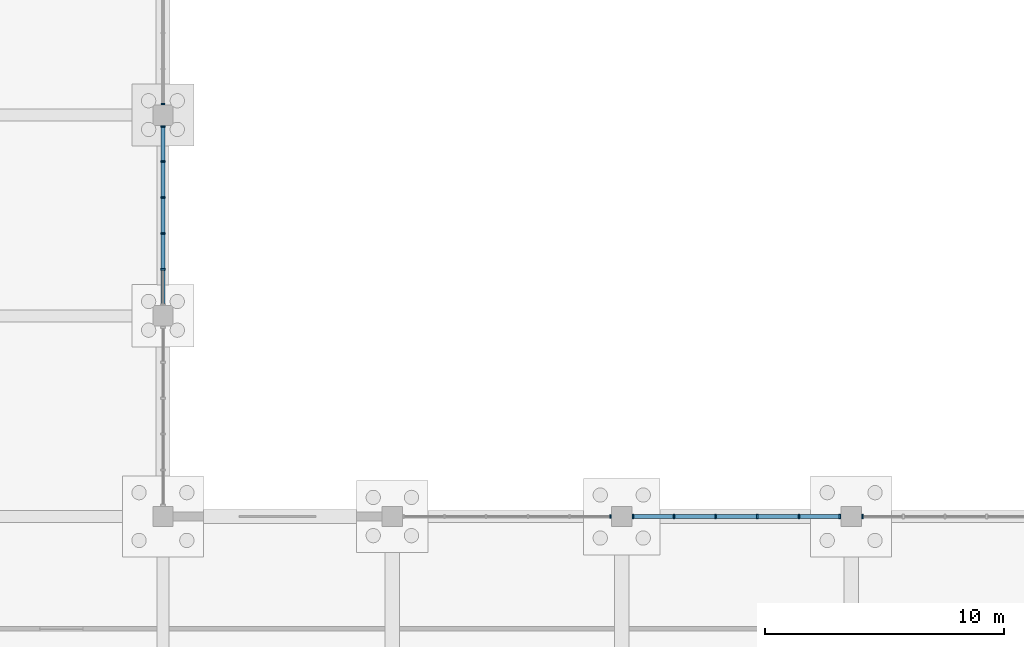
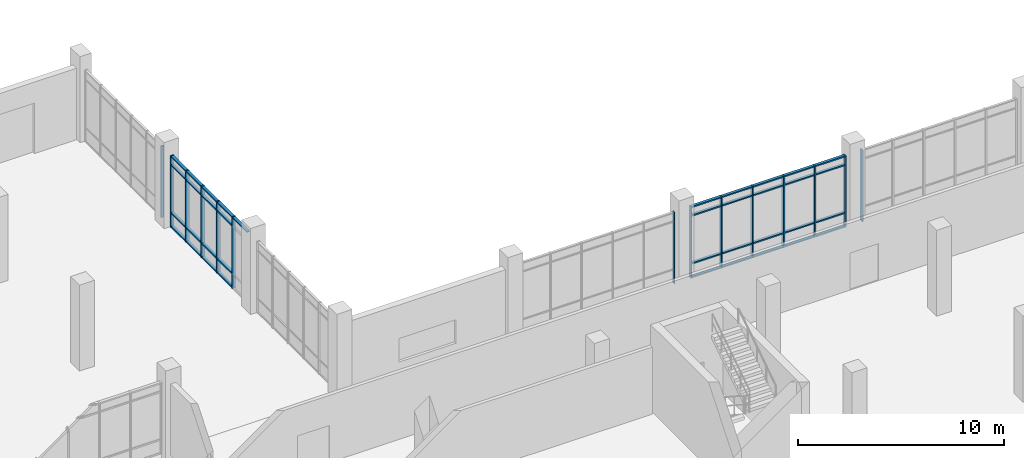
# One storey, part 46 of 136: 51 members, 5 elements without a shape of their own.
"""IFC4 building model written with IfcOpenShell, lengths in metres."""

from ifc_helpers import new_model, si_unit, direction, frame, origin, origin_2d, place, context, subcontext, project, spatial, rectangle, extrude, material, material_profile, profile_set, type_object, element, aggregate, save


model = new_model("IFC4")

# Units and contexts
model_context = context("Model", 3, precision=1e-05, world=origin(), true_north=direction((0.0, 1.0)))
body_context = subcontext(model_context, "Body", "Model", "MODEL_VIEW")
ifc_project = project(units=[si_unit("LENGTHUNIT", "METRE"), si_unit("AREAUNIT", "SQUARE_METRE"), si_unit("VOLUMEUNIT", "CUBIC_METRE"), si_unit("PLANEANGLEUNIT", "RADIAN"), si_unit("MASSUNIT", "GRAM", prefix="KILO")], contexts=[model_context])

# Site, building, storey
site_placement = place(None, origin())
site = spatial("IfcSite", under=ifc_project, at=site_placement, CompositionType="ELEMENT")
building_placement = place(site_placement, origin())
building = spatial("IfcBuilding", under=site, at=building_placement, Name="Oolite Switchyard Hospital", CompositionType="ELEMENT")
storey_placement = place(building_placement, origin())
storey = spatial("IfcBuildingStorey", under=building, at=storey_placement, Name="L00", CompositionType="ELEMENT", Elevation=0.0)

# Curtain wall, member
ifc_material_1 = material(Name="Thermally broken aluminum frame with laminated impact glazing", Category="aluminium")
curtain_wall_type_1 = type_object("IfcCurtainWallType", Name="CW-UNIT-96X51", PredefinedType="USERDEFINED", material=ifc_material_1)
curtain_wall_1_placement = place(storey_placement, origin())
curtain_wall_1 = element("IfcCurtainWall", 1, at=curtain_wall_1_placement, inside=storey, type_object=curtain_wall_type_1, Name="L00 Unitised Curtain Wall 42", ObjectType="UNITISED", PredefinedType="USERDEFINED")
ifc_material_2 = material(Name="Aluminium 6063-T6", Category="aluminium")
ifc_material_profile_1 = material_profile(ifc_material_2, rectangle(XDim=0.159912109375, YDim=0.06005859375, at=origin_2d()), Name="CWM60X160")
ifc_profile_set_1 = profile_set([ifc_material_profile_1], Name="Aluminium 6063-T6")
member_type_1 = type_object("IfcMemberType", Name="CW-MUL-180", PredefinedType="MULLION", material=ifc_profile_set_1)
member_1_placement = place(storey_placement, frame((95.530029296875, 109.199951171875, 0.0), z_axis=(0.0, 0.0, 1.0), x_axis=(0.0, 1.0, 0.0)))
member_1 = element("IfcMember", 2, at=member_1_placement, type_object=member_type_1, Name="CW-01 mullion 6", PredefinedType="MULLION", context=body_context, shape_type="SweptSolid", body=[
    extrude(rectangle(XDim=0.159912109375, YDim=0.06005859375, at=origin_2d()), origin(), (0.0, 0.0, 1.0), 4.239990234375),
])
aggregate(curtain_wall_1, [member_1])

curtain_wall_type_2 = type_object("IfcCurtainWallType", Name="CW-UNIT-84X51", PredefinedType="USERDEFINED", material=ifc_material_1)
curtain_wall_2_placement = place(storey_placement, origin())
curtain_wall_2 = element("IfcCurtainWall", 3, at=curtain_wall_2_placement, inside=storey, type_object=curtain_wall_type_2, Name="L00 Unitised Curtain Wall 66", ObjectType="UNITISED", PredefinedType="USERDEFINED")
member_2_placement = place(storey_placement, frame((76.800048828125, 126.469970703125, 0.0), z_axis=(0.0, 0.0, 1.0), x_axis=(1.0, 0.0, 0.0)))
member_2 = element("IfcMember", 4, at=member_2_placement, type_object=member_type_1, Name="CW-06 mullion 6", PredefinedType="MULLION", context=body_context, shape_type="SweptSolid", body=[
    extrude(rectangle(XDim=0.159912109375, YDim=0.06005859375, at=origin_2d()), origin(), (0.0, 0.0, 1.0), 4.239990234375),
])
aggregate(curtain_wall_2, [member_2])

# Curtain wall, members
curtain_wall_3_placement = place(storey_placement, origin())
curtain_wall_3 = element("IfcCurtainWall", 5, at=curtain_wall_3_placement, inside=storey, type_object=curtain_wall_type_1, Name="L00 Unitised Curtain Wall 43", ObjectType="UNITISED", PredefinedType="USERDEFINED")
ifc_material_profile_2 = material_profile(ifc_material_2, rectangle(XDim=0.179931640625, YDim=0.070068359375, at=origin_2d()), Name="CWM70X180")
ifc_profile_set_2 = profile_set([ifc_material_profile_2], Name="Aluminium 6063-T6")
member_type_2 = type_object("IfcMemberType", Name="CW-MUL-220", PredefinedType="MULLION", material=ifc_profile_set_2)
member_3_placement = place(storey_placement, frame((96.47509765625, 109.199951171875, 0.0), z_axis=(0.0, 0.0, 1.0), x_axis=(0.0, 1.0, 0.0)))
member_3 = element("IfcMember", 6, at=member_3_placement, type_object=member_type_2, Name="CW-01 mullion 1", PredefinedType="MULLION", context=body_context, shape_type="SweptSolid", body=[
    extrude(rectangle(XDim=0.179931640625, YDim=0.070068359375, at=origin_2d()), origin(), (0.0, 0.0, 1.0), 4.239990234375),
])
member_4_placement = place(storey_placement, frame((98.18408203125, 109.199951171875, 0.0), z_axis=(0.0, 0.0, 1.0), x_axis=(0.0, 1.0, 0.0)))
member_4 = element("IfcMember", 7, at=member_4_placement, type_object=member_type_2, Name="CW-01 mullion 2", PredefinedType="MULLION", context=body_context, shape_type="SweptSolid", body=[
    extrude(rectangle(XDim=0.179931640625, YDim=0.070068359375, at=origin_2d()), origin(), (0.0, 0.0, 1.0), 4.239990234375),
])
member_5_placement = place(storey_placement, frame((99.927978515625, 109.199951171875, 0.0), z_axis=(0.0, 0.0, 1.0), x_axis=(0.0, 1.0, 0.0)))
member_5 = element("IfcMember", 8, at=member_5_placement, type_object=member_type_2, Name="CW-01 mullion 3", PredefinedType="MULLION", context=body_context, shape_type="SweptSolid", body=[
    extrude(rectangle(XDim=0.179931640625, YDim=0.070068359375, at=origin_2d()), origin(), (0.0, 0.0, 1.0), 4.239990234375),
])
member_6_placement = place(storey_placement, frame((101.672119140625, 109.199951171875, 0.0), z_axis=(0.0, 0.0, 1.0), x_axis=(0.0, 1.0, 0.0)))
member_6 = element("IfcMember", 9, at=member_6_placement, type_object=member_type_2, Name="CW-01 mullion 4", PredefinedType="MULLION", context=body_context, shape_type="SweptSolid", body=[
    extrude(rectangle(XDim=0.179931640625, YDim=0.070068359375, at=origin_2d()), origin(), (0.0, 0.0, 1.0), 4.239990234375),
])
member_7_placement = place(storey_placement, frame((103.416015625, 109.199951171875, 0.0), z_axis=(0.0, 0.0, 1.0), x_axis=(0.0, 1.0, 0.0)))
member_7 = element("IfcMember", 10, at=member_7_placement, type_object=member_type_2, Name="CW-01 mullion 5", PredefinedType="MULLION", context=body_context, shape_type="SweptSolid", body=[
    extrude(rectangle(XDim=0.179931640625, YDim=0.070068359375, at=origin_2d()), origin(), (0.0, 0.0, 1.0), 4.239990234375),
])
member_8_placement = place(storey_placement, frame((105.125, 109.199951171875, 0.0), z_axis=(0.0, 0.0, 1.0), x_axis=(0.0, 1.0, 0.0)))
member_8 = element("IfcMember", 11, at=member_8_placement, type_object=member_type_2, Name="CW-01 mullion 6", PredefinedType="MULLION", context=body_context, shape_type="SweptSolid", body=[
    extrude(rectangle(XDim=0.179931640625, YDim=0.070068359375, at=origin_2d()), origin(), (0.0, 0.0, 1.0), 4.239990234375),
])

# Curtain wall, member
curtain_wall_4_placement = place(storey_placement, origin())
curtain_wall_4 = element("IfcCurtainWall", 12, at=curtain_wall_4_placement, inside=storey, type_object=curtain_wall_type_1, Name="L00 Unitised Curtain Wall 44", ObjectType="UNITISED", PredefinedType="USERDEFINED")
ifc_material_profile_3 = material_profile(ifc_material_2, rectangle(XDim=0.199951171875, YDim=0.074951171875, at=origin_2d()), Name="CWM75X200")
ifc_profile_set_3 = profile_set([ifc_material_profile_3], Name="Aluminium 6063-T6")
member_type_3 = type_object("IfcMemberType", Name="CW-MUL-260", PredefinedType="MULLION", material=ifc_profile_set_3)
member_9_placement = place(storey_placement, frame((106.077392578125, 109.199951171875, 0.0), z_axis=(0.0, 0.0, 1.0), x_axis=(0.0, 1.0, 0.0)))
member_9 = element("IfcMember", 13, at=member_9_placement, type_object=member_type_3, Name="CW-01 mullion 1", PredefinedType="MULLION", context=body_context, shape_type="SweptSolid", body=[
    extrude(rectangle(XDim=0.199951171875, YDim=0.074951171875, at=origin_2d()), origin(), (0.0, 0.0, 1.0), 4.239990234375),
])
aggregate(curtain_wall_4, [member_9])

# Curtain wall, members
curtain_wall_5_placement = place(storey_placement, origin())
curtain_wall_5 = element("IfcCurtainWall", 14, at=curtain_wall_5_placement, inside=storey, type_object=curtain_wall_type_2, Name="L00 Unitised Curtain Wall 65", ObjectType="UNITISED", PredefinedType="USERDEFINED")
member_10_placement = place(storey_placement, frame((76.800048828125, 125.5224609375, 0.0), z_axis=(0.0, 0.0, 1.0), x_axis=(1.0, 0.0, 0.0)))
member_10 = element("IfcMember", 15, at=member_10_placement, type_object=member_type_3, Name="CW-06 mullion 1", PredefinedType="MULLION", context=body_context, shape_type="SweptSolid", body=[
    extrude(rectangle(XDim=0.199951171875, YDim=0.074951171875, at=origin_2d()), origin(), (0.0, 0.0, 1.0), 4.239990234375),
])
member_11_placement = place(storey_placement, frame((76.800048828125, 124.055908203125, 0.0), z_axis=(0.0, 0.0, 1.0), x_axis=(1.0, 0.0, 0.0)))
member_11 = element("IfcMember", 16, at=member_11_placement, type_object=member_type_3, Name="CW-06 mullion 2", PredefinedType="MULLION", context=body_context, shape_type="SweptSolid", body=[
    extrude(rectangle(XDim=0.199951171875, YDim=0.074951171875, at=origin_2d()), origin(), (0.0, 0.0, 1.0), 4.239990234375),
])
member_12_placement = place(storey_placement, frame((76.800048828125, 122.552001953125, 0.0), z_axis=(0.0, 0.0, 1.0), x_axis=(1.0, 0.0, 0.0)))
member_12 = element("IfcMember", 17, at=member_12_placement, type_object=member_type_3, Name="CW-06 mullion 3", PredefinedType="MULLION", context=body_context, shape_type="SweptSolid", body=[
    extrude(rectangle(XDim=0.199951171875, YDim=0.074951171875, at=origin_2d()), origin(), (0.0, 0.0, 1.0), 4.239990234375),
])
member_13_placement = place(storey_placement, frame((76.800048828125, 121.048095703125, 0.0), z_axis=(0.0, 0.0, 1.0), x_axis=(1.0, 0.0, 0.0)))
member_13 = element("IfcMember", 18, at=member_13_placement, type_object=member_type_3, Name="CW-06 mullion 4", PredefinedType="MULLION", context=body_context, shape_type="SweptSolid", body=[
    extrude(rectangle(XDim=0.199951171875, YDim=0.074951171875, at=origin_2d()), origin(), (0.0, 0.0, 1.0), 4.239990234375),
])
member_14_placement = place(storey_placement, frame((76.800048828125, 119.5439453125, 0.0), z_axis=(0.0, 0.0, 1.0), x_axis=(1.0, 0.0, 0.0)))
member_14 = element("IfcMember", 19, at=member_14_placement, type_object=member_type_3, Name="CW-06 mullion 5", PredefinedType="MULLION", context=body_context, shape_type="SweptSolid", body=[
    extrude(rectangle(XDim=0.199951171875, YDim=0.074951171875, at=origin_2d()), origin(), (0.0, 0.0, 1.0), 4.239990234375),
])

# Member
ifc_material_profile_4 = material_profile(ifc_material_2, rectangle(XDim=0.159912109375, YDim=0.074951171875, at=origin_2d()), Name="CWT75X160")
ifc_profile_set_4 = profile_set([ifc_material_profile_4], Name="Aluminium 6063-T6")
member_type_4 = type_object("IfcMemberType", Name="CW-TRN-180", PredefinedType="USERDEFINED", material=ifc_profile_set_4)
member_15_placement = place(storey_placement, frame((96.510009765625, 109.199951171875, 0.03759765625), z_axis=(1.0, 0.0, 0.0), x_axis=(0.0, 1.0, 0.0)))
member_15 = element("IfcMember", 20, at=member_15_placement, type_object=member_type_4, Name="CW-01 transom 1.1", ObjectType="TRANSOM", PredefinedType="USERDEFINED", context=body_context, shape_type="SweptSolid", body=[
    extrude(rectangle(XDim=0.159912109375, YDim=0.074951171875, at=origin_2d()), origin(), (0.0, 0.0, 1.0), 1.638916015625),
])

member_16_placement = place(storey_placement, frame((96.510009765625, 109.199951171875, 0.85009765625), z_axis=(1.0, 0.0, 0.0), x_axis=(0.0, 1.0, 0.0)))
member_16 = element("IfcMember", 21, at=member_16_placement, type_object=member_type_4, Name="CW-01 transom 1.2", ObjectType="TRANSOM", PredefinedType="USERDEFINED", context=body_context, shape_type="SweptSolid", body=[
    extrude(rectangle(XDim=0.159912109375, YDim=0.074951171875, at=origin_2d()), origin(), (0.0, 0.0, 1.0), 1.638916015625),
])

member_17_placement = place(storey_placement, frame((96.510009765625, 109.199951171875, 3.68994140625), z_axis=(1.0, 0.0, 0.0), x_axis=(0.0, 1.0, 0.0)))
member_17 = element("IfcMember", 22, at=member_17_placement, type_object=member_type_4, Name="CW-01 transom 1.3", ObjectType="TRANSOM", PredefinedType="USERDEFINED", context=body_context, shape_type="SweptSolid", body=[
    extrude(rectangle(XDim=0.159912109375, YDim=0.074951171875, at=origin_2d()), origin(), (0.0, 0.0, 1.0), 1.638916015625),
])

member_18_placement = place(storey_placement, frame((96.510009765625, 109.199951171875, 4.202392578125), z_axis=(1.0, 0.0, 0.0), x_axis=(0.0, 1.0, 0.0)))
member_18 = element("IfcMember", 23, at=member_18_placement, type_object=member_type_4, Name="CW-01 transom 1.4", ObjectType="TRANSOM", PredefinedType="USERDEFINED", context=body_context, shape_type="SweptSolid", body=[
    extrude(rectangle(XDim=0.159912109375, YDim=0.074951171875, at=origin_2d()), origin(), (0.0, 0.0, 1.0), 1.638916015625),
])

member_19_placement = place(storey_placement, frame((98.218994140625, 109.199951171875, 0.03759765625), z_axis=(1.0, 0.0, 0.0), x_axis=(0.0, 1.0, 0.0)))
member_19 = element("IfcMember", 24, at=member_19_placement, type_object=member_type_4, Name="CW-01 transom 2.1", ObjectType="TRANSOM", PredefinedType="USERDEFINED", context=body_context, shape_type="SweptSolid", body=[
    extrude(rectangle(XDim=0.159912109375, YDim=0.074951171875, at=origin_2d()), origin(), (0.0, 0.0, 1.0), 1.674072265625),
])

member_20_placement = place(storey_placement, frame((98.218994140625, 109.199951171875, 0.85009765625), z_axis=(1.0, 0.0, 0.0), x_axis=(0.0, 1.0, 0.0)))
member_20 = element("IfcMember", 25, at=member_20_placement, type_object=member_type_4, Name="CW-01 transom 2.2", ObjectType="TRANSOM", PredefinedType="USERDEFINED", context=body_context, shape_type="SweptSolid", body=[
    extrude(rectangle(XDim=0.159912109375, YDim=0.074951171875, at=origin_2d()), origin(), (0.0, 0.0, 1.0), 1.674072265625),
])

member_21_placement = place(storey_placement, frame((98.218994140625, 109.199951171875, 3.68994140625), z_axis=(1.0, 0.0, 0.0), x_axis=(0.0, 1.0, 0.0)))
member_21 = element("IfcMember", 26, at=member_21_placement, type_object=member_type_4, Name="CW-01 transom 2.3", ObjectType="TRANSOM", PredefinedType="USERDEFINED", context=body_context, shape_type="SweptSolid", body=[
    extrude(rectangle(XDim=0.159912109375, YDim=0.074951171875, at=origin_2d()), origin(), (0.0, 0.0, 1.0), 1.674072265625),
])

member_22_placement = place(storey_placement, frame((98.218994140625, 109.199951171875, 4.202392578125), z_axis=(1.0, 0.0, 0.0), x_axis=(0.0, 1.0, 0.0)))
member_22 = element("IfcMember", 27, at=member_22_placement, type_object=member_type_4, Name="CW-01 transom 2.4", ObjectType="TRANSOM", PredefinedType="USERDEFINED", context=body_context, shape_type="SweptSolid", body=[
    extrude(rectangle(XDim=0.159912109375, YDim=0.074951171875, at=origin_2d()), origin(), (0.0, 0.0, 1.0), 1.674072265625),
])

member_23_placement = place(storey_placement, frame((99.962890625, 109.199951171875, 0.03759765625), z_axis=(1.0, 0.0, 0.0), x_axis=(0.0, 1.0, 0.0)))
member_23 = element("IfcMember", 28, at=member_23_placement, type_object=member_type_4, Name="CW-01 transom 3.1", ObjectType="TRANSOM", PredefinedType="USERDEFINED", context=body_context, shape_type="SweptSolid", body=[
    extrude(rectangle(XDim=0.159912109375, YDim=0.074951171875, at=origin_2d()), origin(), (0.0, 0.0, 1.0), 1.674072265625),
])

member_24_placement = place(storey_placement, frame((99.962890625, 109.199951171875, 0.85009765625), z_axis=(1.0, 0.0, 0.0), x_axis=(0.0, 1.0, 0.0)))
member_24 = element("IfcMember", 29, at=member_24_placement, type_object=member_type_4, Name="CW-01 transom 3.2", ObjectType="TRANSOM", PredefinedType="USERDEFINED", context=body_context, shape_type="SweptSolid", body=[
    extrude(rectangle(XDim=0.159912109375, YDim=0.074951171875, at=origin_2d()), origin(), (0.0, 0.0, 1.0), 1.674072265625),
])

member_25_placement = place(storey_placement, frame((99.962890625, 109.199951171875, 3.68994140625), z_axis=(1.0, 0.0, 0.0), x_axis=(0.0, 1.0, 0.0)))
member_25 = element("IfcMember", 30, at=member_25_placement, type_object=member_type_4, Name="CW-01 transom 3.3", ObjectType="TRANSOM", PredefinedType="USERDEFINED", context=body_context, shape_type="SweptSolid", body=[
    extrude(rectangle(XDim=0.159912109375, YDim=0.074951171875, at=origin_2d()), origin(), (0.0, 0.0, 1.0), 1.674072265625),
])

member_26_placement = place(storey_placement, frame((99.962890625, 109.199951171875, 4.202392578125), z_axis=(1.0, 0.0, 0.0), x_axis=(0.0, 1.0, 0.0)))
member_26 = element("IfcMember", 31, at=member_26_placement, type_object=member_type_4, Name="CW-01 transom 3.4", ObjectType="TRANSOM", PredefinedType="USERDEFINED", context=body_context, shape_type="SweptSolid", body=[
    extrude(rectangle(XDim=0.159912109375, YDim=0.074951171875, at=origin_2d()), origin(), (0.0, 0.0, 1.0), 1.674072265625),
])

member_27_placement = place(storey_placement, frame((101.70703125, 109.199951171875, 0.03759765625), z_axis=(1.0, 0.0, 0.0), x_axis=(0.0, 1.0, 0.0)))
member_27 = element("IfcMember", 32, at=member_27_placement, type_object=member_type_4, Name="CW-01 transom 4.1", ObjectType="TRANSOM", PredefinedType="USERDEFINED", context=body_context, shape_type="SweptSolid", body=[
    extrude(rectangle(XDim=0.159912109375, YDim=0.074951171875, at=origin_2d()), origin(), (0.0, 0.0, 1.0), 1.674072265625),
])

member_28_placement = place(storey_placement, frame((101.70703125, 109.199951171875, 0.85009765625), z_axis=(1.0, 0.0, 0.0), x_axis=(0.0, 1.0, 0.0)))
member_28 = element("IfcMember", 33, at=member_28_placement, type_object=member_type_4, Name="CW-01 transom 4.2", ObjectType="TRANSOM", PredefinedType="USERDEFINED", context=body_context, shape_type="SweptSolid", body=[
    extrude(rectangle(XDim=0.159912109375, YDim=0.074951171875, at=origin_2d()), origin(), (0.0, 0.0, 1.0), 1.674072265625),
])

member_29_placement = place(storey_placement, frame((101.70703125, 109.199951171875, 3.68994140625), z_axis=(1.0, 0.0, 0.0), x_axis=(0.0, 1.0, 0.0)))
member_29 = element("IfcMember", 34, at=member_29_placement, type_object=member_type_4, Name="CW-01 transom 4.3", ObjectType="TRANSOM", PredefinedType="USERDEFINED", context=body_context, shape_type="SweptSolid", body=[
    extrude(rectangle(XDim=0.159912109375, YDim=0.074951171875, at=origin_2d()), origin(), (0.0, 0.0, 1.0), 1.674072265625),
])

member_30_placement = place(storey_placement, frame((101.70703125, 109.199951171875, 4.202392578125), z_axis=(1.0, 0.0, 0.0), x_axis=(0.0, 1.0, 0.0)))
member_30 = element("IfcMember", 35, at=member_30_placement, type_object=member_type_4, Name="CW-01 transom 4.4", ObjectType="TRANSOM", PredefinedType="USERDEFINED", context=body_context, shape_type="SweptSolid", body=[
    extrude(rectangle(XDim=0.159912109375, YDim=0.074951171875, at=origin_2d()), origin(), (0.0, 0.0, 1.0), 1.674072265625),
])

member_31_placement = place(storey_placement, frame((103.450927734375, 109.199951171875, 0.03759765625), z_axis=(1.0, 0.0, 0.0), x_axis=(0.0, 1.0, 0.0)))
member_31 = element("IfcMember", 36, at=member_31_placement, type_object=member_type_4, Name="CW-01 transom 5.1", ObjectType="TRANSOM", PredefinedType="USERDEFINED", context=body_context, shape_type="SweptSolid", body=[
    extrude(rectangle(XDim=0.159912109375, YDim=0.074951171875, at=origin_2d()), origin(), (0.0, 0.0, 1.0), 1.63916015625),
])

member_32_placement = place(storey_placement, frame((103.450927734375, 109.199951171875, 0.85009765625), z_axis=(1.0, 0.0, 0.0), x_axis=(0.0, 1.0, 0.0)))
member_32 = element("IfcMember", 37, at=member_32_placement, type_object=member_type_4, Name="CW-01 transom 5.2", ObjectType="TRANSOM", PredefinedType="USERDEFINED", context=body_context, shape_type="SweptSolid", body=[
    extrude(rectangle(XDim=0.159912109375, YDim=0.074951171875, at=origin_2d()), origin(), (0.0, 0.0, 1.0), 1.63916015625),
])

member_33_placement = place(storey_placement, frame((103.450927734375, 109.199951171875, 3.68994140625), z_axis=(1.0, 0.0, 0.0), x_axis=(0.0, 1.0, 0.0)))
member_33 = element("IfcMember", 38, at=member_33_placement, type_object=member_type_4, Name="CW-01 transom 5.3", ObjectType="TRANSOM", PredefinedType="USERDEFINED", context=body_context, shape_type="SweptSolid", body=[
    extrude(rectangle(XDim=0.159912109375, YDim=0.074951171875, at=origin_2d()), origin(), (0.0, 0.0, 1.0), 1.63916015625),
])

member_34_placement = place(storey_placement, frame((103.450927734375, 109.199951171875, 4.202392578125), z_axis=(1.0, 0.0, 0.0), x_axis=(0.0, 1.0, 0.0)))
member_34 = element("IfcMember", 39, at=member_34_placement, type_object=member_type_4, Name="CW-01 transom 5.4", ObjectType="TRANSOM", PredefinedType="USERDEFINED", context=body_context, shape_type="SweptSolid", body=[
    extrude(rectangle(XDim=0.159912109375, YDim=0.074951171875, at=origin_2d()), origin(), (0.0, 0.0, 1.0), 1.63916015625),
])

aggregate(curtain_wall_3, [member_3, member_4, member_5, member_6, member_7, member_8, member_15, member_16, member_17, member_18, member_19, member_20, member_21, member_22, member_23, member_24, member_25, member_26, member_27, member_28, member_29, member_30, member_31, member_32, member_33, member_34])

member_35_placement = place(storey_placement, frame((76.800048828125, 125.485107421875, 0.03759765625), z_axis=(0.0, -1.0, 0.0), x_axis=(1.0, 0.0, 0.0)))
member_35 = element("IfcMember", 40, at=member_35_placement, type_object=member_type_4, Name="CW-06 transom 1.1", ObjectType="TRANSOM", PredefinedType="USERDEFINED", context=body_context, shape_type="SweptSolid", body=[
    extrude(rectangle(XDim=0.159912109375, YDim=0.074951171875, at=origin_2d()), origin(), (0.0, 0.0, 1.0), 1.3916015625),
])

member_36_placement = place(storey_placement, frame((76.800048828125, 125.485107421875, 0.85009765625), z_axis=(0.0, -1.0, 0.0), x_axis=(1.0, 0.0, 0.0)))
member_36 = element("IfcMember", 41, at=member_36_placement, type_object=member_type_4, Name="CW-06 transom 1.2", ObjectType="TRANSOM", PredefinedType="USERDEFINED", context=body_context, shape_type="SweptSolid", body=[
    extrude(rectangle(XDim=0.159912109375, YDim=0.074951171875, at=origin_2d()), origin(), (0.0, 0.0, 1.0), 1.3916015625),
])

member_37_placement = place(storey_placement, frame((76.800048828125, 125.485107421875, 3.68994140625), z_axis=(0.0, -1.0, 0.0), x_axis=(1.0, 0.0, 0.0)))
member_37 = element("IfcMember", 42, at=member_37_placement, type_object=member_type_4, Name="CW-06 transom 1.3", ObjectType="TRANSOM", PredefinedType="USERDEFINED", context=body_context, shape_type="SweptSolid", body=[
    extrude(rectangle(XDim=0.159912109375, YDim=0.074951171875, at=origin_2d()), origin(), (0.0, 0.0, 1.0), 1.3916015625),
])

member_38_placement = place(storey_placement, frame((76.800048828125, 125.485107421875, 4.202392578125), z_axis=(0.0, -1.0, 0.0), x_axis=(1.0, 0.0, 0.0)))
member_38 = element("IfcMember", 43, at=member_38_placement, type_object=member_type_4, Name="CW-06 transom 1.4", ObjectType="TRANSOM", PredefinedType="USERDEFINED", context=body_context, shape_type="SweptSolid", body=[
    extrude(rectangle(XDim=0.159912109375, YDim=0.074951171875, at=origin_2d()), origin(), (0.0, 0.0, 1.0), 1.3916015625),
])

member_39_placement = place(storey_placement, frame((76.800048828125, 124.0185546875, 0.03759765625), z_axis=(0.0, -1.0, 0.0), x_axis=(1.0, 0.0, 0.0)))
member_39 = element("IfcMember", 44, at=member_39_placement, type_object=member_type_4, Name="CW-06 transom 2.1", ObjectType="TRANSOM", PredefinedType="USERDEFINED", context=body_context, shape_type="SweptSolid", body=[
    extrude(rectangle(XDim=0.159912109375, YDim=0.074951171875, at=origin_2d()), origin(), (0.0, 0.0, 1.0), 1.428955078125),
])

member_40_placement = place(storey_placement, frame((76.800048828125, 124.0185546875, 0.85009765625), z_axis=(0.0, -1.0, 0.0), x_axis=(1.0, 0.0, 0.0)))
member_40 = element("IfcMember", 45, at=member_40_placement, type_object=member_type_4, Name="CW-06 transom 2.2", ObjectType="TRANSOM", PredefinedType="USERDEFINED", context=body_context, shape_type="SweptSolid", body=[
    extrude(rectangle(XDim=0.159912109375, YDim=0.074951171875, at=origin_2d()), origin(), (0.0, 0.0, 1.0), 1.428955078125),
])

member_41_placement = place(storey_placement, frame((76.800048828125, 124.0185546875, 3.68994140625), z_axis=(0.0, -1.0, 0.0), x_axis=(1.0, 0.0, 0.0)))
member_41 = element("IfcMember", 46, at=member_41_placement, type_object=member_type_4, Name="CW-06 transom 2.3", ObjectType="TRANSOM", PredefinedType="USERDEFINED", context=body_context, shape_type="SweptSolid", body=[
    extrude(rectangle(XDim=0.159912109375, YDim=0.074951171875, at=origin_2d()), origin(), (0.0, 0.0, 1.0), 1.428955078125),
])

member_42_placement = place(storey_placement, frame((76.800048828125, 124.0185546875, 4.202392578125), z_axis=(0.0, -1.0, 0.0), x_axis=(1.0, 0.0, 0.0)))
member_42 = element("IfcMember", 47, at=member_42_placement, type_object=member_type_4, Name="CW-06 transom 2.4", ObjectType="TRANSOM", PredefinedType="USERDEFINED", context=body_context, shape_type="SweptSolid", body=[
    extrude(rectangle(XDim=0.159912109375, YDim=0.074951171875, at=origin_2d()), origin(), (0.0, 0.0, 1.0), 1.428955078125),
])

member_43_placement = place(storey_placement, frame((76.800048828125, 122.514404296875, 0.03759765625), z_axis=(0.0, -1.0, 0.0), x_axis=(1.0, 0.0, 0.0)))
member_43 = element("IfcMember", 48, at=member_43_placement, type_object=member_type_4, Name="CW-06 transom 3.1", ObjectType="TRANSOM", PredefinedType="USERDEFINED", context=body_context, shape_type="SweptSolid", body=[
    extrude(rectangle(XDim=0.159912109375, YDim=0.074951171875, at=origin_2d()), origin(), (0.0, 0.0, 1.0), 1.428955078125),
])

member_44_placement = place(storey_placement, frame((76.800048828125, 122.514404296875, 0.85009765625), z_axis=(0.0, -1.0, 0.0), x_axis=(1.0, 0.0, 0.0)))
member_44 = element("IfcMember", 49, at=member_44_placement, type_object=member_type_4, Name="CW-06 transom 3.2", ObjectType="TRANSOM", PredefinedType="USERDEFINED", context=body_context, shape_type="SweptSolid", body=[
    extrude(rectangle(XDim=0.159912109375, YDim=0.074951171875, at=origin_2d()), origin(), (0.0, 0.0, 1.0), 1.428955078125),
])

member_45_placement = place(storey_placement, frame((76.800048828125, 122.514404296875, 3.68994140625), z_axis=(0.0, -1.0, 0.0), x_axis=(1.0, 0.0, 0.0)))
member_45 = element("IfcMember", 50, at=member_45_placement, type_object=member_type_4, Name="CW-06 transom 3.3", ObjectType="TRANSOM", PredefinedType="USERDEFINED", context=body_context, shape_type="SweptSolid", body=[
    extrude(rectangle(XDim=0.159912109375, YDim=0.074951171875, at=origin_2d()), origin(), (0.0, 0.0, 1.0), 1.428955078125),
])

member_46_placement = place(storey_placement, frame((76.800048828125, 122.514404296875, 4.202392578125), z_axis=(0.0, -1.0, 0.0), x_axis=(1.0, 0.0, 0.0)))
member_46 = element("IfcMember", 51, at=member_46_placement, type_object=member_type_4, Name="CW-06 transom 3.4", ObjectType="TRANSOM", PredefinedType="USERDEFINED", context=body_context, shape_type="SweptSolid", body=[
    extrude(rectangle(XDim=0.159912109375, YDim=0.074951171875, at=origin_2d()), origin(), (0.0, 0.0, 1.0), 1.428955078125),
])

member_47_placement = place(storey_placement, frame((76.800048828125, 121.010498046875, 0.03759765625), z_axis=(0.0, -1.0, 0.0), x_axis=(1.0, 0.0, 0.0)))
member_47 = element("IfcMember", 52, at=member_47_placement, type_object=member_type_4, Name="CW-06 transom 4.1", ObjectType="TRANSOM", PredefinedType="USERDEFINED", context=body_context, shape_type="SweptSolid", body=[
    extrude(rectangle(XDim=0.159912109375, YDim=0.074951171875, at=origin_2d()), origin(), (0.0, 0.0, 1.0), 1.428955078125),
])

member_48_placement = place(storey_placement, frame((76.800048828125, 121.010498046875, 0.85009765625), z_axis=(0.0, -1.0, 0.0), x_axis=(1.0, 0.0, 0.0)))
member_48 = element("IfcMember", 53, at=member_48_placement, type_object=member_type_4, Name="CW-06 transom 4.2", ObjectType="TRANSOM", PredefinedType="USERDEFINED", context=body_context, shape_type="SweptSolid", body=[
    extrude(rectangle(XDim=0.159912109375, YDim=0.074951171875, at=origin_2d()), origin(), (0.0, 0.0, 1.0), 1.428955078125),
])

member_49_placement = place(storey_placement, frame((76.800048828125, 121.010498046875, 3.68994140625), z_axis=(0.0, -1.0, 0.0), x_axis=(1.0, 0.0, 0.0)))
member_49 = element("IfcMember", 54, at=member_49_placement, type_object=member_type_4, Name="CW-06 transom 4.3", ObjectType="TRANSOM", PredefinedType="USERDEFINED", context=body_context, shape_type="SweptSolid", body=[
    extrude(rectangle(XDim=0.159912109375, YDim=0.074951171875, at=origin_2d()), origin(), (0.0, 0.0, 1.0), 1.428955078125),
])

member_50_placement = place(storey_placement, frame((76.800048828125, 121.010498046875, 4.202392578125), z_axis=(0.0, -1.0, 0.0), x_axis=(1.0, 0.0, 0.0)))
member_50 = element("IfcMember", 55, at=member_50_placement, type_object=member_type_4, Name="CW-06 transom 4.4", ObjectType="TRANSOM", PredefinedType="USERDEFINED", context=body_context, shape_type="SweptSolid", body=[
    extrude(rectangle(XDim=0.159912109375, YDim=0.074951171875, at=origin_2d()), origin(), (0.0, 0.0, 1.0), 1.428955078125),
])

member_51_placement = place(storey_placement, frame((76.800048828125, 119.506591796875, 4.202392578125), z_axis=(0.0, -1.0, 0.0), x_axis=(1.0, 0.0, 0.0)))
member_51 = element("IfcMember", 56, at=member_51_placement, type_object=member_type_4, Name="CW-06 transom 5.4", ObjectType="TRANSOM", PredefinedType="USERDEFINED", context=body_context, shape_type="SweptSolid", body=[
    extrude(rectangle(XDim=0.159912109375, YDim=0.074951171875, at=origin_2d()), origin(), (0.0, 0.0, 1.0), 1.3916015625),
])

aggregate(curtain_wall_5, [member_10, member_11, member_12, member_13, member_14, member_35, member_36, member_37, member_38, member_39, member_40, member_41, member_42, member_43, member_44, member_45, member_46, member_47, member_48, member_49, member_50, member_51])

save(model, "model.ifc")
